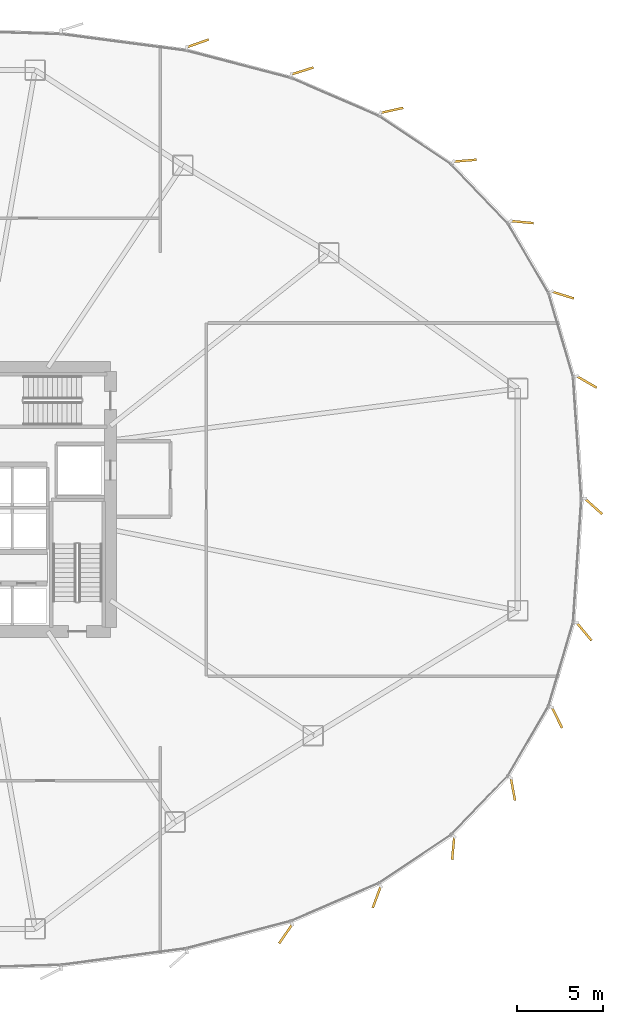
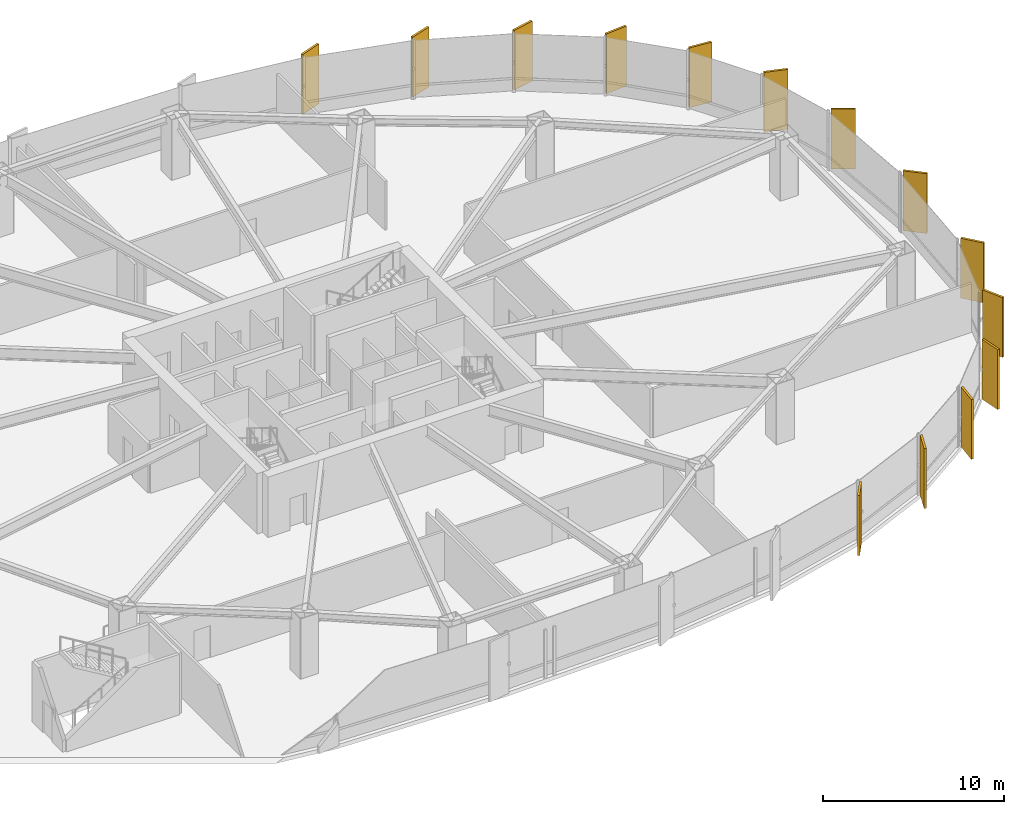
# One storey, part 34 of 34: 14 coverings.
"""IFC4 building model written with IfcOpenShell, lengths in metres."""

from ifc_helpers import new_model, si_unit, direction, frame, origin, origin_2d, place, context, subcontext, project, spatial, rectangle, extrude, source, transform, mapped, material, layer, layer_set, type_object, element, save


model = new_model("IFC4")

# Units and contexts
model_context = context("Model", 3, precision=1e-05, world=origin(), true_north=direction((0.0, 1.0)))
body_context = subcontext(model_context, "Body", "Model", "MODEL_VIEW")
ifc_project = project(units=[si_unit("LENGTHUNIT", "METRE"), si_unit("AREAUNIT", "SQUARE_METRE"), si_unit("VOLUMEUNIT", "CUBIC_METRE"), si_unit("PLANEANGLEUNIT", "RADIAN"), si_unit("MASSUNIT", "GRAM", prefix="KILO"), si_unit("THERMODYNAMICTEMPERATUREUNIT", "KELVIN")], contexts=[model_context])

# Site, building, storey
site_placement = place(None, origin())
site = spatial("IfcSite", under=ifc_project, at=site_placement, CompositionType="ELEMENT")
building_placement = place(site_placement, origin())
building = spatial("IfcBuilding", under=site, at=building_placement, Name="Kethvar Cultural Tower", CompositionType="ELEMENT")
storey_placement = place(building_placement, frame((0.0, 0.0, 19.60009765625)))
storey = spatial("IfcBuildingStorey", under=building, at=storey_placement, Name="L04", CompositionType="ELEMENT", Elevation=19.60009765625)

# Coverings
ifc_material = material(Name="Extruded Architectural Terracotta", Category="masonry")
ifc_layer = layer(ifc_material, 0.135009765625, Name="Extruded Architectural Terracotta", Category="masonry")
ifc_layer_set = layer_set([ifc_layer], Name="Extruded Architectural Terracotta (135 mm)")
covering_type = type_object("IfcCoveringType", Name="Terracotta Facade Fin FIN-04", PredefinedType="CLADDING", material=ifc_layer_set)
shared_shape = source(origin(), body_context, "Body", "SweptSolid", [
    extrude(rectangle(XDim=1.35009765625, YDim=0.135009765625, at=origin_2d()), origin(), (0.0, 0.0, 1.0), 4.0400390625),
])
for number, where, z_axis, x_axis, name in (
    (1, (83.77880859375, 27.403076171875, 0.019775390625), (0.0, 0.0, 1.0), (0.744194976126, -0.66796245217, 0.0), "L04 Vertical Terracotta Fin 1.1"),
    (2, (83.37890625, 34.66357421875, 0.019775390625), (0.0, 0.0, 1.0), (0.865850818101, -0.500302269426, 0.0), "L04 Vertical Terracotta Fin 1.2"),
    (3, (81.988525390625, 39.730712890625, 0.019775390625), (0.0, 0.0, 1.0), (0.954500927457, -0.298207946716, 0.0), "L04 Vertical Terracotta Fin 1.3"),
    (4, (79.6142578125, 43.986572265625, 0.019775390625), (0.0, 0.0, 1.0), (0.995676196569, -0.092891934994, 0.0), "L04 Vertical Terracotta Fin 1.4"),
    (5, (76.2802734375, 47.56884765625, 0.019775390625), (0.0, 0.0, 1.0), (0.996478239533, 0.083851762871, 0.0), "L04 Vertical Terracotta Fin 1.5"),
    (6, (72.01708984375, 50.50341796875, 0.019775390625), (0.0, 0.0, 1.0), (0.976371499317, 0.216098809163, 0.0), "L04 Vertical Terracotta Fin 1.6"),
    (7, (66.79052734375, 52.800537109375, 0.019775390625), (0.0, 0.0, 1.0), (0.954292506446, 0.298874241346, 0.0), "L04 Vertical Terracotta Fin 2.1"),
    (8, (60.697021484375, 54.413818359375, 0.019775390625), (0.0, 0.0, 1.0), (0.943338546589, 0.331831864835, 0.0), "L04 Vertical Terracotta Fin 2.2"),
    (9, (65.822021484375, 2.4619140625, 0.019775390625), (0.0, 0.0, 1.0), (-0.567556381667, -0.823334533242, 0.0), "L04 Vertical Terracotta Fin 5.5"),
    (10, (71.1357421875, 4.61669921875, 0.019775390625), (0.0, 0.0, 1.0), (-0.348081239861, -0.9374643729, 0.0), "L04 Vertical Terracotta Fin 5.6"),
    (11, (75.5927734375, 7.461669921875, 0.019775390625), (0.0, 0.0, 1.0), (-0.091501618663, -0.995804927575, 0.0), "L04 Vertical Terracotta Fin 6.1"),
    (12, (79.076904296875, 10.90234375, 0.019775390625), (0.0, 0.0, 1.0), (0.182750331554, -0.983159354488, 0.0), "L04 Vertical Terracotta Fin 6.2"),
    (13, (81.648193359375, 15.079345703125, 0.019775390625), (0.0, 0.0, 1.0), (0.43915532554, -0.898411153119, 0.0), "L04 Vertical Terracotta Fin 6.3"),
    (14, (83.229248046875, 20.09716796875, 0.019775390625), (0.0, 0.0, 1.0), (0.639707339446, -0.768618578918, 0.0), "L04 Vertical Terracotta Fin 6.4"),
):
    element("IfcCovering", number, at=place(storey_placement, frame(where, z_axis=z_axis, x_axis=x_axis)), inside=storey, type_object=covering_type, Name=name, PredefinedType="CLADDING", context=body_context, shape_type="MappedRepresentation", body=[
        mapped(shared_shape, transform((0.0, 0.0, 0.0), scale=1.0)),
    ])

save(model, "model.ifc")
